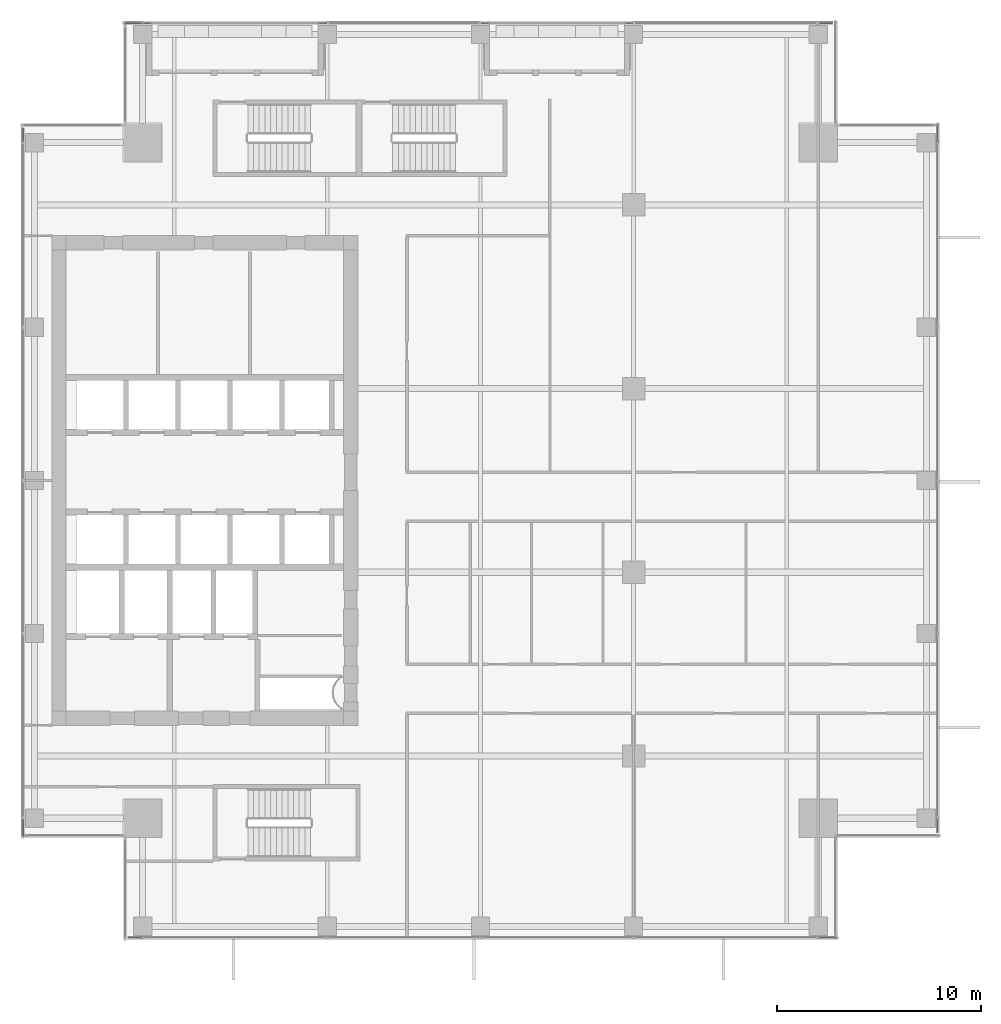
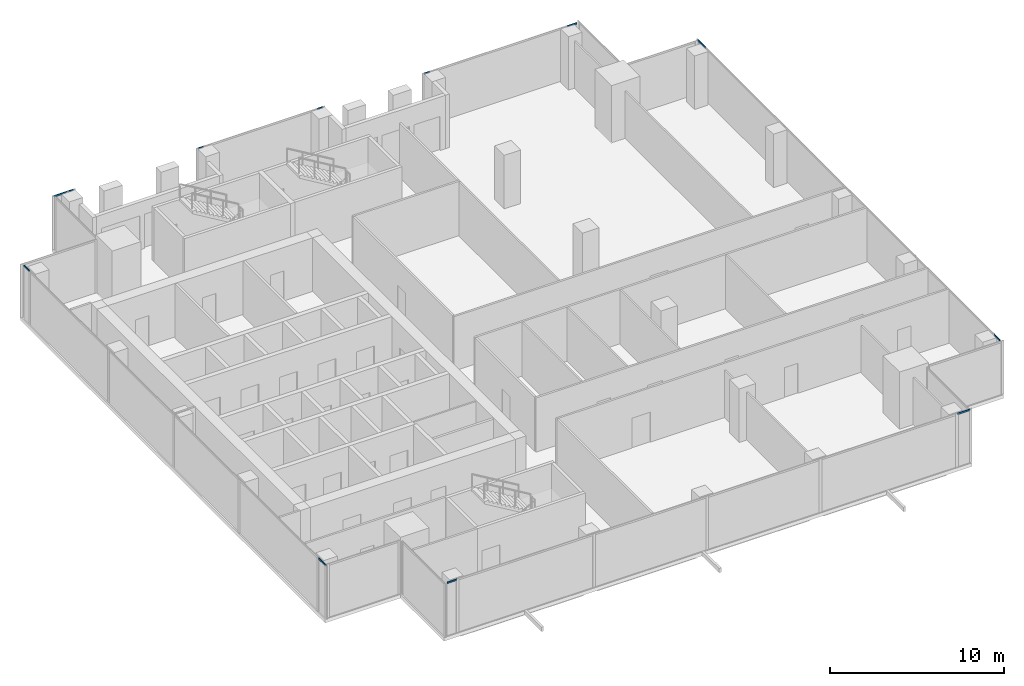
# One storey, part 24 of 34: 12 members, 6 elements without a shape of their own.
"""IFC4 building model written with IfcOpenShell, lengths in metres."""

import ifcopenshell
import ifcopenshell.guid

model = None  # the IFC model being written
_history = None  # IfcOwnerHistory: only IFC2X3 demands one
_inside = {}  # id of a spatial element -> (the spatial element, [elements in it])
_under = {}  # id of a project, library or spatial element -> (it, [spatial elements below it])
_declared = {}  # id of a project -> (the project, [libraries it declares])
_typed = {}  # id of a type object -> (the type object, [elements of that type])
_made_of = {}  # id of a material, layer set ... -> (it, [elements and type objects made of it])


def new_model(schema):
    """Start an empty IFC model of exactly this schema.

    Asked for "IFC4X3", IfcOpenShell would pick the latest addendum, in which some entities
    have other attributes; the version numbers below select the first issue.
    IFC2X3 requires an IfcOwnerHistory on every rooted entity: one is made here for all.
    """
    global model, _history
    if schema == "IFC4X3":
        model = ifcopenshell.file(schema_version=(4, 3, 0, 0))
    else:
        model = ifcopenshell.file(schema=schema)
    _inside.clear()
    _under.clear()
    _declared.clear()
    _typed.clear()
    _made_of.clear()
    _history = None
    if model.schema == "IFC2X3":
        org = make("IfcOrganization", Name="unknown")
        user = make(
            "IfcPersonAndOrganization",
            ThePerson=make("IfcPerson", FamilyName="unknown"),
            TheOrganization=org,
        )
        app = make(
            "IfcApplication",
            ApplicationDeveloper=org,
            Version="unknown",
            ApplicationFullName="unknown",
            ApplicationIdentifier="unknown",
        )
        _history = make(
            "IfcOwnerHistory",
            OwningUser=user,
            OwningApplication=app,
            ChangeAction="ADDED",
            CreationDate=0,
        )
    return model


def make(cls, **values):
    """One entity of the class cls with the attributes given. An attribute that is None is left unset."""
    return model.create_entity(
        cls, **{name: value for name, value in values.items() if value is not None}
    )


def rooted(cls, **values):
    """An entity with a GlobalId (a new one), such as an element, a storey or a relation."""
    return make(cls, GlobalId=ifcopenshell.guid.new(), OwnerHistory=_history, **values)


def si_unit(unit_type, name, prefix=None):
    """IfcSIUnit, for example si_unit("LENGTHUNIT", "METRE", prefix="MILLI")."""
    return make("IfcSIUnit", UnitType=unit_type, Prefix=prefix, Name=name)


def assignment(units):
    """IfcUnitAssignment: the units of a project."""
    return None if units is None else make("IfcUnitAssignment", Units=units)


def point(xyz):
    """IfcCartesianPoint."""
    return None if xyz is None else make("IfcCartesianPoint", Coordinates=xyz)


def direction(xyz):
    """IfcDirection."""
    return None if xyz is None else make("IfcDirection", DirectionRatios=xyz)


def frame(location, z_axis=None, x_axis=None):
    """IfcAxis2Placement3D, a coordinate frame: its origin and axes. An axis left out is left unset."""
    return make(
        "IfcAxis2Placement3D",
        Location=point(location),
        Axis=direction(z_axis),
        RefDirection=direction(x_axis),
    )


def frame_2d(location, x_axis=None):
    """IfcAxis2Placement2D, a coordinate frame in the plane: its origin and x axis."""
    return make(
        "IfcAxis2Placement2D", Location=point(location), RefDirection=direction(x_axis)
    )


def origin():
    """The frame at (0, 0, 0) with its axes left unset."""
    return frame((0.0, 0.0, 0.0))


def origin_2d():
    """The frame at (0, 0) in the plane with its x axis left unset."""
    return frame_2d((0.0, 0.0))


def place(relative_to, where):
    """IfcLocalPlacement: puts the frame where relative to a parent placement (None: the world)."""
    return make(
        "IfcLocalPlacement", PlacementRelTo=relative_to, RelativePlacement=where
    )


def context(
    kind, dimensions, precision=None, world=None, true_north=None, identifier=None
):
    """IfcGeometricRepresentationContext, for example the 3D "Model" context."""
    return make(
        "IfcGeometricRepresentationContext",
        ContextIdentifier=identifier,
        ContextType=kind,
        CoordinateSpaceDimension=dimensions,
        Precision=precision,
        WorldCoordinateSystem=world,
        TrueNorth=true_north,
    )


def subcontext(parent, identifier, kind, view, scale=None):
    """IfcGeometricRepresentationSubContext, for example "Body" below "Model"."""
    return make(
        "IfcGeometricRepresentationSubContext",
        ContextIdentifier=identifier,
        ContextType=kind,
        ParentContext=parent,
        TargetScale=scale,
        TargetView=view,
    )


def project(units=None, contexts=None):
    """IfcProject with its units and contexts."""
    return rooted(
        "IfcProject",
        Name="project",
        RepresentationContexts=contexts,
        UnitsInContext=assignment(units),
    )


def spatial(cls, under=None, at=None, **own):
    """A site, building, storey or space (cls), placed at a placement, below another one or the project."""
    s = rooted(cls, ObjectPlacement=at, **own)
    if under is not None:
        _under.setdefault(under.id(), (under, []))[1].append(s)
    return s


def profile(cls, at=None, kind="AREA", **sizes):
    """A parametric profile (cls). Its sizes go by their IFC names, for example OverallWidth=200.0."""
    return make(cls, ProfileType=kind, Position=at, **sizes)


def hollow_rectangle(**sizes):
    """IfcRectangleHollowProfileDef."""
    return profile("IfcRectangleHollowProfileDef", **sizes)


def extrude(swept, where, along, depth):
    """IfcExtrudedAreaSolid: the profile swept, set in the frame where, extruded along a direction by depth."""
    return make(
        "IfcExtrudedAreaSolid",
        SweptArea=swept,
        Position=where,
        ExtrudedDirection=direction(along),
        Depth=depth,
    )


def shape(context_of_items, identifier, shape_type, items):
    """IfcShapeRepresentation: the items that make up one representation, for example the "Body"."""
    return make(
        "IfcShapeRepresentation",
        ContextOfItems=context_of_items,
        RepresentationIdentifier=identifier,
        RepresentationType=shape_type,
        Items=items,
    )


def source(mapping_origin, context_of_items, identifier, shape_type, items):
    """IfcRepresentationMap: a shape defined once, which mapped items show again and again."""
    return make(
        "IfcRepresentationMap",
        MappingOrigin=mapping_origin,
        MappedRepresentation=shape(context_of_items, identifier, shape_type, items),
    )


def transform(
    local_origin,
    x_axis=None,
    y_axis=None,
    z_axis=None,
    scale=None,
    scale2=None,
    scale3=None,
    uniform=True,
):
    """IfcCartesianTransformationOperator3D, or its non-uniform kind. x_axis, y_axis, z_axis: its Axis1, 2, 3."""
    if uniform:
        return make(
            "IfcCartesianTransformationOperator3D",
            Axis1=direction(x_axis),
            Axis2=direction(y_axis),
            LocalOrigin=point(local_origin),
            Scale=scale,
            Axis3=direction(z_axis),
        )
    return make(
        "IfcCartesianTransformationOperator3DnonUniform",
        Axis1=direction(x_axis),
        Axis2=direction(y_axis),
        LocalOrigin=point(local_origin),
        Scale=scale,
        Axis3=direction(z_axis),
        Scale2=scale2,
        Scale3=scale3,
    )


def mapped(mapping_source, mapping_target):
    """IfcMappedItem: shows the shape of a source again, moved by a transform."""
    return make(
        "IfcMappedItem", MappingSource=mapping_source, MappingTarget=mapping_target
    )


def material(Name=None, Category=None):
    """IfcMaterial."""
    return make("IfcMaterial", Name=Name, Category=Category)


def material_profile(
    of_material, cross_section, Name=None, Category=None, Priority=None
):
    """IfcMaterialProfile: a cross section and its material."""
    return make(
        "IfcMaterialProfile",
        Name=Name,
        Material=of_material,
        Profile=cross_section,
        Priority=Priority,
        Category=Category,
    )


def profile_set(profiles, Name=None, composite=None):
    """IfcMaterialProfileSet."""
    return make(
        "IfcMaterialProfileSet",
        Name=Name,
        MaterialProfiles=profiles,
        CompositeProfile=composite,
    )


def made_of(thing, what):
    """Note that an element or type object is made of a material, layer set ...; save() writes the relation."""
    if what is not None:
        _made_of.setdefault(what.id(), (what, []))[1].append(thing)
    return thing


def type_object(cls, material=None, **own):
    """A type object (cls), such as IfcWallType, which elements share."""
    return made_of(rooted(cls, **own), material)


def element(
    cls,
    number,
    at=None,
    inside=None,
    cuts=None,
    type_object=None,
    material=None,
    context=None,
    identifier="Body",
    shape_type=None,
    held_by="IfcProductDefinitionShape",
    body=None,
    shapes=None,
    **own,
):
    """One element of the class cls, such as IfcWall. Its Tag is "e" and its number.

    at: its placement. inside: the storey or other place that contains it. cuts: it is an
    opening in that element (IfcRelVoidsElement). A single representation is given by context,
    identifier, shape_type and body (its items); several are given by shapes. held_by: the class
    of the entity that holds the representations. save() writes the other relations.
    """
    e = rooted(cls, Tag="e%d" % number, ObjectPlacement=at, **own)
    if body is not None:
        shapes = [shape(context, identifier, shape_type, body)]
    if shapes is not None:
        e.Representation = make(held_by, Representations=shapes)
    if inside is not None:
        _inside.setdefault(inside.id(), (inside, []))[1].append(e)
    if cuts is not None:
        rooted(
            "IfcRelVoidsElement", RelatingBuildingElement=cuts, RelatedOpeningElement=e
        )
    if type_object is not None:
        _typed.setdefault(type_object.id(), (type_object, []))[1].append(e)
    return made_of(e, material)


def aggregate(whole, parts):
    """IfcRelAggregates: a whole, such as a stair, and the parts it consists of."""
    return rooted("IfcRelAggregates", RelatingObject=whole, RelatedObjects=parts)


def save(model, path):
    """Write the relations noted so far, then the file.

    IfcRelAggregates (storeys below a building ...), IfcRelContainedInSpatialStructure (elements
    in a storey), IfcRelDefinesByType, IfcRelAssociatesMaterial and IfcRelDeclares: one each for
    every whole, place, type object, material and project.
    """
    for whole, parts in _under.values():
        aggregate(whole, parts)
    for where, things in _inside.values():
        rooted(
            "IfcRelContainedInSpatialStructure",
            RelatedElements=things,
            RelatingStructure=where,
        )
    for kind, things in _typed.values():
        rooted("IfcRelDefinesByType", RelatedObjects=things, RelatingType=kind)
    for what, things in _made_of.values():
        rooted("IfcRelAssociatesMaterial", RelatedObjects=things, RelatingMaterial=what)
    for by, libraries in _declared.values():
        rooted("IfcRelDeclares", RelatingContext=by, RelatedDefinitions=libraries)
    model.write(path)


model = new_model("IFC4")

# Units and contexts
model_context = context("Model", 3, precision=1e-05, world=origin(), true_north=direction((0.0, 1.0)))
body_context = subcontext(model_context, "Body", "Model", "MODEL_VIEW")
ifc_project = project(units=[si_unit("LENGTHUNIT", "METRE"), si_unit("AREAUNIT", "SQUARE_METRE"), si_unit("VOLUMEUNIT", "CUBIC_METRE"), si_unit("PLANEANGLEUNIT", "RADIAN"), si_unit("MASSUNIT", "GRAM", prefix="KILO")], contexts=[model_context])

# Site, building, storey
site_placement = place(None, origin())
site = spatial("IfcSite", under=ifc_project, at=site_placement, CompositionType="ELEMENT")
building_placement = place(site_placement, origin())
building = spatial("IfcBuilding", under=site, at=building_placement, Name="Khomas Fold Tower", CompositionType="ELEMENT")
storey_placement = place(building_placement, frame((0.0, 0.0, 242.199951171875)))
storey = spatial("IfcBuildingStorey", under=building, at=storey_placement, Name="L54", CompositionType="ELEMENT", Elevation=242.199951171875)

# Curtain wall, member
ifc_material_1 = material(Name="Aluminium framed double glazing", Category="aluminium")
curtain_wall_type = type_object("IfcCurtainWallType", Name="SK-Unitised clear-glass wall, office floors CW2", PredefinedType="NOTDEFINED", material=ifc_material_1)
curtain_wall_1_placement = place(storey_placement, origin())
curtain_wall_1 = element("IfcCurtainWall", 1, at=curtain_wall_1_placement, inside=storey, type_object=curtain_wall_type, Name="CW2 run L54 00-0", PredefinedType="NOTDEFINED")
ifc_material_2 = material(Name="Aluminium", Category="aluminium")
ifc_material_profile = material_profile(ifc_material_2, hollow_rectangle(XDim=0.050048828125, YDim=0.110107421875, WallThickness=0.00390625, at=origin_2d()), Name="SK-Unitised clear-glass wall, office floors transom CW2-T")
ifc_profile_set = profile_set([ifc_material_profile], Name="Aluminium")
member_type = type_object("IfcMemberType", Name="SK-Unitised clear-glass wall, office floors transom CW2-T", PredefinedType="USERDEFINED", material=ifc_profile_set)
shared_shape_1 = source(origin(), body_context, "Body", "SweptSolid", [
    extrude(hollow_rectangle(XDim=0.050048828125, YDim=0.110107421875, WallThickness=0.00390625, at=origin_2d()), origin(), (0.0, 0.0, 1.0), 0.659912109375),
])
member_1_placement = place(storey_placement, frame((9.760009765625, 4.60009765625, 3.695068359375), z_axis=(1.0, 0.0, 0.0), x_axis=(0.0, 1.0, 0.0)))
member_1 = element("IfcMember", 2, at=member_1_placement, type_object=member_type, Name="CW2 transom 1", ObjectType="TRANSOM", PredefinedType="USERDEFINED", context=body_context, shape_type="MappedRepresentation", body=[
    mapped(shared_shape_1, transform((0.0, 0.0, 0.0))),
])

curtain_wall_2_placement = place(storey_placement, origin())
curtain_wall_2 = element("IfcCurtainWall", 3, at=curtain_wall_2_placement, inside=storey, type_object=curtain_wall_type, Name="CW2 run L54 03-0", PredefinedType="NOTDEFINED")
member_2_placement = place(storey_placement, frame((49.39990234375, 9.760009765625, 3.695068359375), z_axis=(0.0, 1.0, 0.0), x_axis=(-1.0, 0.0, 0.0)))
member_2 = element("IfcMember", 4, at=member_2_placement, type_object=member_type, Name="CW2 transom 1", ObjectType="TRANSOM", PredefinedType="USERDEFINED", context=body_context, shape_type="MappedRepresentation", body=[
    mapped(shared_shape_1, transform((0.0, 0.0, 0.0))),
])

curtain_wall_3_placement = place(storey_placement, origin())
curtain_wall_3 = element("IfcCurtainWall", 5, at=curtain_wall_3_placement, inside=storey, type_object=curtain_wall_type, Name="CW2 run L54 06-0", PredefinedType="NOTDEFINED")
member_3_placement = place(storey_placement, frame((44.239990234375, 49.39990234375, 3.695068359375), z_axis=(-1.0, 0.0, 0.0), x_axis=(0.0, -1.0, 0.0)))
member_3 = element("IfcMember", 6, at=member_3_placement, type_object=member_type, Name="CW2 transom 1", ObjectType="TRANSOM", PredefinedType="USERDEFINED", context=body_context, shape_type="MappedRepresentation", body=[
    mapped(shared_shape_1, transform((0.0, 0.0, 0.0))),
])

curtain_wall_4_placement = place(storey_placement, origin())
curtain_wall_4 = element("IfcCurtainWall", 7, at=curtain_wall_4_placement, inside=storey, type_object=curtain_wall_type, Name="CW2 run L54 09-0", PredefinedType="NOTDEFINED")
member_4_placement = place(storey_placement, frame((4.60009765625, 44.239990234375, 3.695068359375), z_axis=(0.0, -1.0, 0.0), x_axis=(1.0, 0.0, 0.0)))
member_4 = element("IfcMember", 8, at=member_4_placement, type_object=member_type, Name="CW2 transom 1", ObjectType="TRANSOM", PredefinedType="USERDEFINED", context=body_context, shape_type="MappedRepresentation", body=[
    mapped(shared_shape_1, transform((0.0, 0.0, 0.0))),
])

# Member
shared_shape_2 = source(origin(), body_context, "Body", "SweptSolid", [
    extrude(hollow_rectangle(XDim=0.050048828125, YDim=0.110107421875, WallThickness=0.00390625, at=origin_2d()), origin(), (0.0, 0.0, 1.0), 0.85986328125),
])
member_5_placement = place(storey_placement, frame((43.580078125, 4.60009765625, 3.695068359375), z_axis=(1.0, 0.0, 0.0), x_axis=(0.0, 1.0, 0.0)))
member_5 = element("IfcMember", 9, at=member_5_placement, type_object=member_type, Name="CW2 transom 6", ObjectType="TRANSOM", PredefinedType="USERDEFINED", context=body_context, shape_type="MappedRepresentation", body=[
    mapped(shared_shape_2, transform((0.0, 0.0, 0.0))),
])

aggregate(curtain_wall_1, [member_1, member_5])

member_6_placement = place(storey_placement, frame((49.39990234375, 43.580078125, 3.695068359375), z_axis=(0.0, 1.0, 0.0), x_axis=(-1.0, 0.0, 0.0)))
member_6 = element("IfcMember", 10, at=member_6_placement, type_object=member_type, Name="CW2 transom 6", ObjectType="TRANSOM", PredefinedType="USERDEFINED", context=body_context, shape_type="MappedRepresentation", body=[
    mapped(shared_shape_2, transform((0.0, 0.0, 0.0))),
])

aggregate(curtain_wall_2, [member_2, member_6])

# Curtain wall, member
curtain_wall_5_placement = place(storey_placement, origin())
curtain_wall_5 = element("IfcCurtainWall", 11, at=curtain_wall_5_placement, inside=storey, type_object=curtain_wall_type, Name="CW2 run L54 06-2", PredefinedType="NOTDEFINED")
member_7_placement = place(storey_placement, frame((10.419921875, 49.39990234375, 3.695068359375), z_axis=(-1.0, 0.0, 0.0), x_axis=(0.0, -1.0, 0.0)))
member_7 = element("IfcMember", 12, at=member_7_placement, type_object=member_type, Name="CW2 transom 2", ObjectType="TRANSOM", PredefinedType="USERDEFINED", context=body_context, shape_type="MappedRepresentation", body=[
    mapped(shared_shape_2, transform((0.0, 0.0, 0.0))),
])

# Member
member_8_placement = place(storey_placement, frame((4.60009765625, 10.419921875, 3.695068359375), z_axis=(0.0, -1.0, 0.0), x_axis=(1.0, 0.0, 0.0)))
member_8 = element("IfcMember", 13, at=member_8_placement, type_object=member_type, Name="CW2 transom 6", ObjectType="TRANSOM", PredefinedType="USERDEFINED", context=body_context, shape_type="MappedRepresentation", body=[
    mapped(shared_shape_2, transform((0.0, 0.0, 0.0))),
])

aggregate(curtain_wall_4, [member_4, member_8])

shared_shape_3 = source(origin(), body_context, "Body", "SweptSolid", [
    extrude(hollow_rectangle(XDim=0.050048828125, YDim=0.110107421875, WallThickness=0.00390625, at=origin_2d()), origin(), (0.0, 0.0, 1.0), 0.35986328125),
])
member_9_placement = place(storey_placement, frame((34.469970703125, 49.39990234375, 3.695068359375), z_axis=(-1.0, 0.0, 0.0), x_axis=(0.0, -1.0, 0.0)))
member_9 = element("IfcMember", 14, at=member_9_placement, type_object=member_type, Name="CW2 transom 3", ObjectType="TRANSOM", PredefinedType="USERDEFINED", context=body_context, shape_type="MappedRepresentation", body=[
    mapped(shared_shape_3, transform((0.0, 0.0, 0.0))),
])

aggregate(curtain_wall_3, [member_3, member_9])

# Curtain wall, members
curtain_wall_6_placement = place(storey_placement, origin())
curtain_wall_6 = element("IfcCurtainWall", 15, at=curtain_wall_6_placement, inside=storey, type_object=curtain_wall_type, Name="CW2 run L54 06-1", PredefinedType="NOTDEFINED")
member_10_placement = place(storey_placement, frame((27.389892578125, 49.39990234375, 3.695068359375), z_axis=(-1.0, 0.0, 0.0), x_axis=(0.0, -1.0, 0.0)))
member_10 = element("IfcMember", 16, at=member_10_placement, type_object=member_type, Name="CW2 transom 1", ObjectType="TRANSOM", PredefinedType="USERDEFINED", context=body_context, shape_type="MappedRepresentation", body=[
    mapped(shared_shape_3, transform((0.0, 0.0, 0.0))),
])
member_11_placement = place(storey_placement, frame((19.469970703125, 49.39990234375, 3.695068359375), z_axis=(-1.0, 0.0, 0.0), x_axis=(0.0, -1.0, 0.0)))
member_11 = element("IfcMember", 17, at=member_11_placement, type_object=member_type, Name="CW2 transom 3", ObjectType="TRANSOM", PredefinedType="USERDEFINED", context=body_context, shape_type="MappedRepresentation", body=[
    mapped(shared_shape_3, transform((0.0, 0.0, 0.0))),
])
aggregate(curtain_wall_6, [member_10, member_11])

# Member
shared_shape_4 = source(origin(), body_context, "Body", "SweptSolid", [
    extrude(hollow_rectangle(XDim=0.050048828125, YDim=0.110107421875, WallThickness=0.00390625, at=origin_2d()), origin(), (0.0, 0.0, 1.0), 0.360107421875),
])
member_12_placement = place(storey_placement, frame((10.840087890625, 49.39990234375, 3.695068359375), z_axis=(-1.0, 0.0, 0.0), x_axis=(0.0, -1.0, 0.0)))
member_12 = element("IfcMember", 18, at=member_12_placement, type_object=member_type, Name="CW2 transom 1", ObjectType="TRANSOM", PredefinedType="USERDEFINED", context=body_context, shape_type="MappedRepresentation", body=[
    mapped(shared_shape_4, transform((0.0, 0.0, 0.0))),
])

aggregate(curtain_wall_5, [member_12, member_7])

save(model, "model.ifc")
